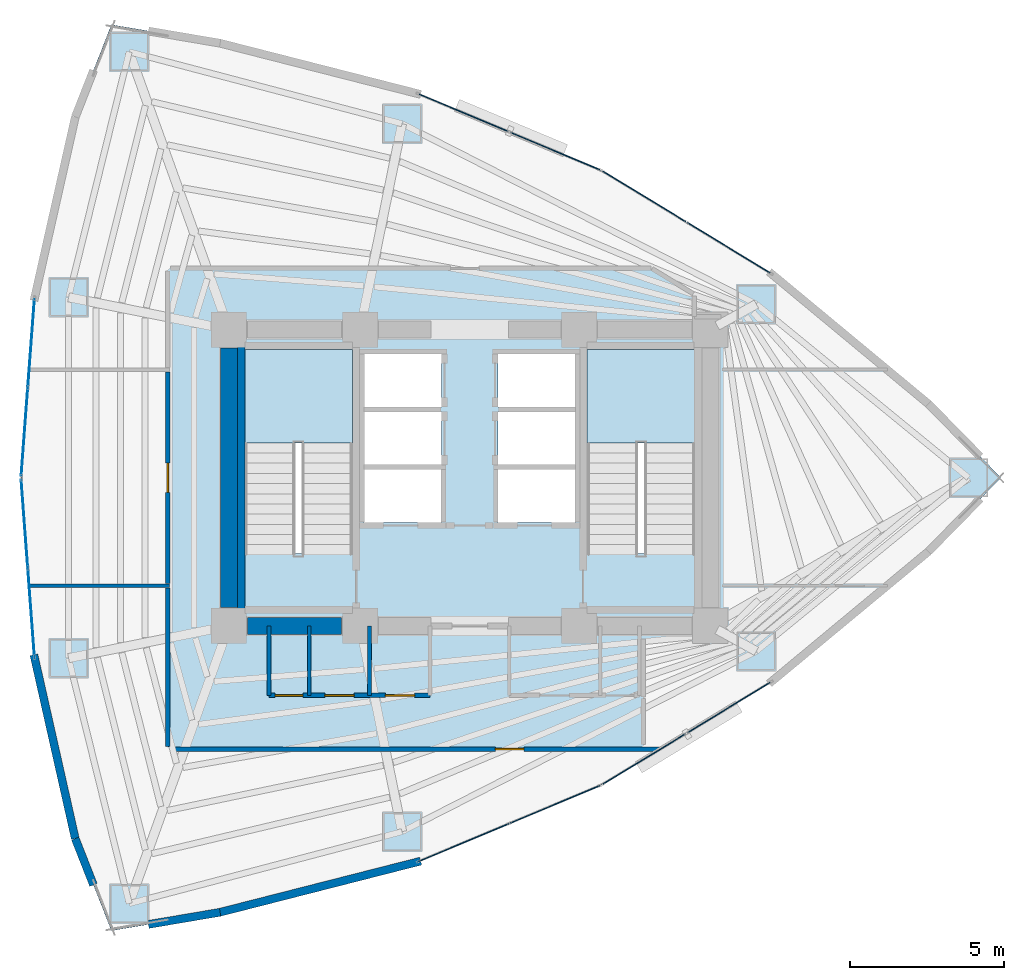
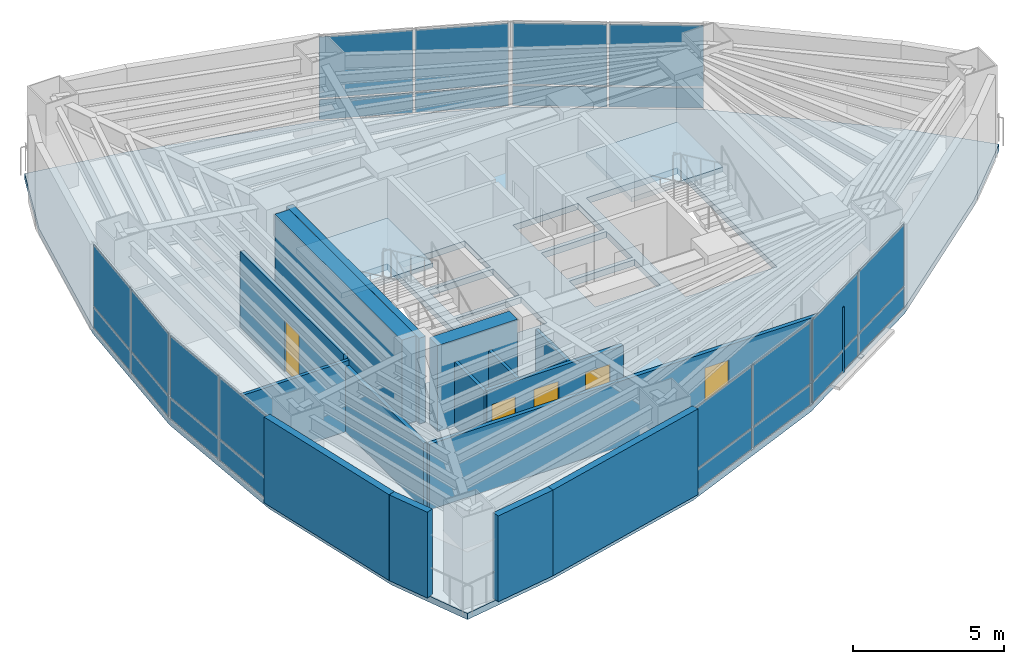
# One storey, part 14 of 18: 24 plates, 15 walls, 5 doors, 3 slabs, 5 openings, 8 elements without a shape of their own.
"""IFC4 building model written with IfcOpenShell, lengths in metres."""

from ifc_helpers import new_model, si_unit, direction, frame, frame_2d, origin, origin_2d, place, context, subcontext, project, spatial, polyline, rectangle, outline, extrude, material, layer, layer_set, type_object, element, fill, aggregate, save


model = new_model("IFC4")

# Units and contexts
model_context = context("Model", 3, precision=1e-05, world=origin(), true_north=direction((0.0, 1.0)))
body_context = subcontext(model_context, "Body", "Model", "MODEL_VIEW")
ifc_project = project(units=[si_unit("LENGTHUNIT", "METRE"), si_unit("AREAUNIT", "SQUARE_METRE"), si_unit("VOLUMEUNIT", "CUBIC_METRE"), si_unit("PLANEANGLEUNIT", "RADIAN"), si_unit("MASSUNIT", "GRAM", prefix="KILO")], contexts=[model_context])

# Site, building, storey
site_placement = place(None, origin())
site = spatial("IfcSite", under=ifc_project, at=site_placement, CompositionType="ELEMENT")
building_placement = place(site_placement, origin())
building = spatial("IfcBuilding", under=site, at=building_placement, Name="Menara Vayukalpa", CompositionType="ELEMENT")
storey_placement = place(building_placement, frame((0.0, 0.0, 92.820068359375)))
storey = spatial("IfcBuildingStorey", under=building, at=storey_placement, Name="L22", CompositionType="ELEMENT", Elevation=92.820068359375)

# Curtain wall, plates
ifc_material_1 = material(Name="Anodised Terracotta Aluminium Alloy 6063-T6", Category="masonry")
ifc_layer_1 = layer(ifc_material_1, 0.14990234375)
ifc_layer_set_1 = layer_set([ifc_layer_1], Name="Anodised Terracotta Aluminium Alloy 6063-T6")
curtain_wall_type = type_object("IfcCurtainWallType", Name="CW-CW3", PredefinedType="USERDEFINED", material=ifc_layer_set_1)
curtain_wall_1_placement = place(storey_placement, origin())
curtain_wall_1 = element("IfcCurtainWall", 1, at=curtain_wall_1_placement, inside=storey, type_object=curtain_wall_type, Name="L22 Mid Rise Terracotta Ribbon Curtain Wall CW3 04", ObjectType="UNITISED", PredefinedType="USERDEFINED")
ifc_material_2 = material(Name="Low-E Double Glazing", Category="glass")
ifc_layer_2 = layer(ifc_material_2, 0.030029296875)
ifc_layer_set_2 = layer_set([ifc_layer_2], Name="Low-E Double Glazing")
plate_type = type_object("IfcPlateType", Name="CWP-CW3", PredefinedType="CURTAIN_PANEL", material=ifc_layer_set_2)
plate_1_placement = place(storey_placement, frame((33.9921875, 29.44873046875, 0.06494140625), z_axis=(0.0, 0.0, 1.0), x_axis=(-0.854663123674, 0.519182959112, 0.0)))
plate_1 = element("IfcPlate", 2, at=plate_1_placement, type_object=plate_type, Name="CW3 panel 1.1", PredefinedType="CURTAIN_PANEL", context=body_context, shape_type="SweptSolid", body=[
    extrude(rectangle(XDim=3.1318359375, YDim=0.030029296875, at=origin_2d()), origin(), (0.0, 0.0, 1.0), 0.802490234375),
])
plate_2_placement = place(storey_placement, frame((33.9921875, 29.44873046875, 0.9326171875), z_axis=(0.0, 0.0, 1.0), x_axis=(-0.854663123674, 0.519182959112, 0.0)))
plate_2 = element("IfcPlate", 3, at=plate_2_placement, type_object=plate_type, Name="CW3 panel 1.2", PredefinedType="CURTAIN_PANEL", context=body_context, shape_type="SweptSolid", body=[
    extrude(rectangle(XDim=3.1318359375, YDim=0.030029296875, at=origin_2d()), origin(), (0.0, 0.0, 1.0), 2.472412109375),
])
plate_3_placement = place(storey_placement, frame((31.259765625, 31.1083984375, 0.06494140625), z_axis=(0.0, 0.0, 1.0), x_axis=(-0.854663123674, 0.519182959112, 0.0)))
plate_3 = element("IfcPlate", 4, at=plate_3_placement, type_object=plate_type, Name="CW3 panel 2.1", PredefinedType="CURTAIN_PANEL", context=body_context, shape_type="SweptSolid", body=[
    extrude(rectangle(XDim=3.1318359375, YDim=0.030029296875, at=origin_2d()), origin(), (0.0, 0.0, 1.0), 0.802490234375),
])
plate_4_placement = place(storey_placement, frame((31.259765625, 31.1083984375, 0.9326171875), z_axis=(0.0, 0.0, 1.0), x_axis=(-0.854663123674, 0.519182959112, 0.0)))
plate_4 = element("IfcPlate", 5, at=plate_4_placement, type_object=plate_type, Name="CW3 panel 2.2", PredefinedType="CURTAIN_PANEL", context=body_context, shape_type="SweptSolid", body=[
    extrude(rectangle(XDim=3.1318359375, YDim=0.030029296875, at=origin_2d()), origin(), (0.0, 0.0, 1.0), 2.472412109375),
])
aggregate(curtain_wall_1, [plate_1, plate_2, plate_3, plate_4])

curtain_wall_2_placement = place(storey_placement, origin())
curtain_wall_2 = element("IfcCurtainWall", 6, at=curtain_wall_2_placement, inside=storey, type_object=curtain_wall_type, Name="L22 Mid Rise Terracotta Ribbon Curtain Wall CW3 05", ObjectType="UNITISED", PredefinedType="USERDEFINED")
plate_5_placement = place(storey_placement, frame((28.361328125, 32.58447265625, 0.06494140625), z_axis=(0.0, 0.0, 1.0), x_axis=(-0.922543300632, 0.38589358437, 0.0)))
plate_5 = element("IfcPlate", 7, at=plate_5_placement, type_object=plate_type, Name="CW3 panel 1.1", PredefinedType="CURTAIN_PANEL", context=body_context, shape_type="SweptSolid", body=[
    extrude(rectangle(XDim=3.1318359375, YDim=0.030029296875, at=origin_2d()), origin(), (0.0, 0.0, 1.0), 0.802490234375),
])
plate_6_placement = place(storey_placement, frame((28.361328125, 32.58447265625, 0.9326171875), z_axis=(0.0, 0.0, 1.0), x_axis=(-0.922543300632, 0.38589358437, 0.0)))
plate_6 = element("IfcPlate", 8, at=plate_6_placement, type_object=plate_type, Name="CW3 panel 1.2", PredefinedType="CURTAIN_PANEL", context=body_context, shape_type="SweptSolid", body=[
    extrude(rectangle(XDim=3.1318359375, YDim=0.030029296875, at=origin_2d()), origin(), (0.0, 0.0, 1.0), 2.472412109375),
])
plate_7_placement = place(storey_placement, frame((25.412109375, 33.818115234375, 0.06494140625), z_axis=(0.0, 0.0, 1.0), x_axis=(-0.922543300632, 0.38589358437, 0.0)))
plate_7 = element("IfcPlate", 9, at=plate_7_placement, type_object=plate_type, Name="CW3 panel 2.1", PredefinedType="CURTAIN_PANEL", context=body_context, shape_type="SweptSolid", body=[
    extrude(rectangle(XDim=3.1318359375, YDim=0.030029296875, at=origin_2d()), origin(), (0.0, 0.0, 1.0), 0.802490234375),
])
plate_8_placement = place(storey_placement, frame((25.412109375, 33.818115234375, 0.9326171875), z_axis=(0.0, 0.0, 1.0), x_axis=(-0.922543300632, 0.38589358437, 0.0)))
plate_8 = element("IfcPlate", 10, at=plate_8_placement, type_object=plate_type, Name="CW3 panel 2.2", PredefinedType="CURTAIN_PANEL", context=body_context, shape_type="SweptSolid", body=[
    extrude(rectangle(XDim=3.1318359375, YDim=0.030029296875, at=origin_2d()), origin(), (0.0, 0.0, 1.0), 2.472412109375),
])
aggregate(curtain_wall_2, [plate_5, plate_6, plate_7, plate_8])

curtain_wall_3_placement = place(storey_placement, origin())
curtain_wall_3 = element("IfcCurtainWall", 11, at=curtain_wall_3_placement, inside=storey, type_object=curtain_wall_type, Name="L22 Mid Rise Terracotta Ribbon Curtain Wall CW3 10", ObjectType="UNITISED", PredefinedType="USERDEFINED")
plate_9_placement = place(storey_placement, frame((11.395751953125, 26.3681640625, 0.06494140625), z_axis=(0.0, 0.0, 1.0), x_axis=(-0.07478528334, -0.997199659745, 0.0)))
plate_9 = element("IfcPlate", 12, at=plate_9_placement, type_object=plate_type, Name="CW3 panel 1.1", PredefinedType="CURTAIN_PANEL", context=body_context, shape_type="SweptSolid", body=[
    extrude(rectangle(XDim=2.83349609375, YDim=0.030029296875, at=origin_2d()), origin(), (0.0, 0.0, 1.0), 0.802490234375),
])
plate_10_placement = place(storey_placement, frame((11.395751953125, 26.3681640625, 0.9326171875), z_axis=(0.0, 0.0, 1.0), x_axis=(-0.07478528334, -0.997199659745, 0.0)))
plate_10 = element("IfcPlate", 13, at=plate_10_placement, type_object=plate_type, Name="CW3 panel 1.2", PredefinedType="CURTAIN_PANEL", context=body_context, shape_type="SweptSolid", body=[
    extrude(rectangle(XDim=2.83349609375, YDim=0.030029296875, at=origin_2d()), origin(), (0.0, 0.0, 1.0), 2.472412109375),
])
plate_11_placement = place(storey_placement, frame((11.178955078125, 23.4775390625, 0.06494140625), z_axis=(0.0, 0.0, 1.0), x_axis=(-0.07478528334, -0.997199659745, 0.0)))
plate_11 = element("IfcPlate", 14, at=plate_11_placement, type_object=plate_type, Name="CW3 panel 2.1", PredefinedType="CURTAIN_PANEL", context=body_context, shape_type="SweptSolid", body=[
    extrude(rectangle(XDim=2.83349609375, YDim=0.030029296875, at=origin_2d()), origin(), (0.0, 0.0, 1.0), 0.802490234375),
])
plate_12_placement = place(storey_placement, frame((11.178955078125, 23.4775390625, 0.9326171875), z_axis=(0.0, 0.0, 1.0), x_axis=(-0.07478528334, -0.997199659745, 0.0)))
plate_12 = element("IfcPlate", 15, at=plate_12_placement, type_object=plate_type, Name="CW3 panel 2.2", PredefinedType="CURTAIN_PANEL", context=body_context, shape_type="SweptSolid", body=[
    extrude(rectangle(XDim=2.83349609375, YDim=0.030029296875, at=origin_2d()), origin(), (0.0, 0.0, 1.0), 2.472412109375),
])
aggregate(curtain_wall_3, [plate_9, plate_10, plate_11, plate_12])

curtain_wall_4_placement = place(storey_placement, origin())
curtain_wall_4 = element("IfcCurtainWall", 16, at=curtain_wall_4_placement, inside=storey, type_object=curtain_wall_type, Name="L22 Mid Rise Terracotta Ribbon Curtain Wall CW3 11", ObjectType="UNITISED", PredefinedType="USERDEFINED")
plate_13_placement = place(storey_placement, frame((11.178955078125, 20.5224609375, 0.06494140625), z_axis=(0.0, 0.0, 1.0), x_axis=(0.07478528334, -0.997199659745, 0.0)))
plate_13 = element("IfcPlate", 17, at=plate_13_placement, type_object=plate_type, Name="CW3 panel 1.1", PredefinedType="CURTAIN_PANEL", context=body_context, shape_type="SweptSolid", body=[
    extrude(rectangle(XDim=2.83349609375, YDim=0.030029296875, at=origin_2d()), origin(), (0.0, 0.0, 1.0), 0.802490234375),
])
plate_14_placement = place(storey_placement, frame((11.178955078125, 20.5224609375, 0.9326171875), z_axis=(0.0, 0.0, 1.0), x_axis=(0.07478528334, -0.997199659745, 0.0)))
plate_14 = element("IfcPlate", 18, at=plate_14_placement, type_object=plate_type, Name="CW3 panel 1.2", PredefinedType="CURTAIN_PANEL", context=body_context, shape_type="SweptSolid", body=[
    extrude(rectangle(XDim=2.83349609375, YDim=0.030029296875, at=origin_2d()), origin(), (0.0, 0.0, 1.0), 2.472412109375),
])
plate_15_placement = place(storey_placement, frame((11.395751953125, 17.6318359375, 0.06494140625), z_axis=(0.0, 0.0, 1.0), x_axis=(0.07478528334, -0.997199659745, 0.0)))
plate_15 = element("IfcPlate", 19, at=plate_15_placement, type_object=plate_type, Name="CW3 panel 2.1", PredefinedType="CURTAIN_PANEL", context=body_context, shape_type="SweptSolid", body=[
    extrude(rectangle(XDim=2.83349609375, YDim=0.030029296875, at=origin_2d()), origin(), (0.0, 0.0, 1.0), 0.802490234375),
])
plate_16_placement = place(storey_placement, frame((11.395751953125, 17.6318359375, 0.9326171875), z_axis=(0.0, 0.0, 1.0), x_axis=(0.07478528334, -0.997199659745, 0.0)))
plate_16 = element("IfcPlate", 20, at=plate_16_placement, type_object=plate_type, Name="CW3 panel 2.2", PredefinedType="CURTAIN_PANEL", context=body_context, shape_type="SweptSolid", body=[
    extrude(rectangle(XDim=2.83349609375, YDim=0.030029296875, at=origin_2d()), origin(), (0.0, 0.0, 1.0), 2.472412109375),
])
aggregate(curtain_wall_4, [plate_13, plate_14, plate_15, plate_16])

curtain_wall_5_placement = place(storey_placement, origin())
curtain_wall_5 = element("IfcCurtainWall", 21, at=curtain_wall_5_placement, inside=storey, type_object=curtain_wall_type, Name="L22 Mid Rise Terracotta Ribbon Curtain Wall CW3 16", ObjectType="UNITISED", PredefinedType="USERDEFINED")
plate_17_placement = place(storey_placement, frame((25.412109375, 10.181884765625, 0.06494140625), z_axis=(0.0, 0.0, 1.0), x_axis=(0.922543300632, 0.38589358437, 0.0)))
plate_17 = element("IfcPlate", 22, at=plate_17_placement, type_object=plate_type, Name="CW3 panel 1.1", PredefinedType="CURTAIN_PANEL", context=body_context, shape_type="SweptSolid", body=[
    extrude(rectangle(XDim=3.1318359375, YDim=0.030029296875, at=origin_2d()), origin(), (0.0, 0.0, 1.0), 0.802490234375),
])
plate_18_placement = place(storey_placement, frame((25.412109375, 10.181884765625, 0.9326171875), z_axis=(0.0, 0.0, 1.0), x_axis=(0.922543300632, 0.38589358437, 0.0)))
plate_18 = element("IfcPlate", 23, at=plate_18_placement, type_object=plate_type, Name="CW3 panel 1.2", PredefinedType="CURTAIN_PANEL", context=body_context, shape_type="SweptSolid", body=[
    extrude(rectangle(XDim=3.1318359375, YDim=0.030029296875, at=origin_2d()), origin(), (0.0, 0.0, 1.0), 2.472412109375),
])
plate_19_placement = place(storey_placement, frame((28.361328125, 11.41552734375, 0.06494140625), z_axis=(0.0, 0.0, 1.0), x_axis=(0.922543300632, 0.38589358437, 0.0)))
plate_19 = element("IfcPlate", 24, at=plate_19_placement, type_object=plate_type, Name="CW3 panel 2.1", PredefinedType="CURTAIN_PANEL", context=body_context, shape_type="SweptSolid", body=[
    extrude(rectangle(XDim=3.1318359375, YDim=0.030029296875, at=origin_2d()), origin(), (0.0, 0.0, 1.0), 0.802490234375),
])
plate_20_placement = place(storey_placement, frame((28.361328125, 11.41552734375, 0.9326171875), z_axis=(0.0, 0.0, 1.0), x_axis=(0.922543300632, 0.38589358437, 0.0)))
plate_20 = element("IfcPlate", 25, at=plate_20_placement, type_object=plate_type, Name="CW3 panel 2.2", PredefinedType="CURTAIN_PANEL", context=body_context, shape_type="SweptSolid", body=[
    extrude(rectangle(XDim=3.1318359375, YDim=0.030029296875, at=origin_2d()), origin(), (0.0, 0.0, 1.0), 2.472412109375),
])
aggregate(curtain_wall_5, [plate_17, plate_18, plate_19, plate_20])

curtain_wall_6_placement = place(storey_placement, origin())
curtain_wall_6 = element("IfcCurtainWall", 26, at=curtain_wall_6_placement, inside=storey, type_object=curtain_wall_type, Name="L22 Mid Rise Terracotta Ribbon Curtain Wall CW3 17", ObjectType="UNITISED", PredefinedType="USERDEFINED")
plate_21_placement = place(storey_placement, frame((31.259765625, 12.8916015625, 0.06494140625), z_axis=(0.0, 0.0, 1.0), x_axis=(0.854663123674, 0.519182959112, 0.0)))
plate_21 = element("IfcPlate", 27, at=plate_21_placement, type_object=plate_type, Name="CW3 panel 1.1", PredefinedType="CURTAIN_PANEL", context=body_context, shape_type="SweptSolid", body=[
    extrude(rectangle(XDim=3.1318359375, YDim=0.030029296875, at=origin_2d()), origin(), (0.0, 0.0, 1.0), 0.802490234375),
])
plate_22_placement = place(storey_placement, frame((31.259765625, 12.8916015625, 0.9326171875), z_axis=(0.0, 0.0, 1.0), x_axis=(0.854663123674, 0.519182959112, 0.0)))
plate_22 = element("IfcPlate", 28, at=plate_22_placement, type_object=plate_type, Name="CW3 panel 1.2", PredefinedType="CURTAIN_PANEL", context=body_context, shape_type="SweptSolid", body=[
    extrude(rectangle(XDim=3.1318359375, YDim=0.030029296875, at=origin_2d()), origin(), (0.0, 0.0, 1.0), 2.472412109375),
])
plate_23_placement = place(storey_placement, frame((33.9921875, 14.55126953125, 0.06494140625), z_axis=(0.0, 0.0, 1.0), x_axis=(0.854663123674, 0.519182959112, 0.0)))
plate_23 = element("IfcPlate", 29, at=plate_23_placement, type_object=plate_type, Name="CW3 panel 2.1", PredefinedType="CURTAIN_PANEL", context=body_context, shape_type="SweptSolid", body=[
    extrude(rectangle(XDim=3.1318359375, YDim=0.030029296875, at=origin_2d()), origin(), (0.0, 0.0, 1.0), 0.802490234375),
])
plate_24_placement = place(storey_placement, frame((33.9921875, 14.55126953125, 0.9326171875), z_axis=(0.0, 0.0, 1.0), x_axis=(0.854663123674, 0.519182959112, 0.0)))
plate_24 = element("IfcPlate", 30, at=plate_24_placement, type_object=plate_type, Name="CW3 panel 2.2", PredefinedType="CURTAIN_PANEL", context=body_context, shape_type="SweptSolid", body=[
    extrude(rectangle(XDim=3.1318359375, YDim=0.030029296875, at=origin_2d()), origin(), (0.0, 0.0, 1.0), 2.472412109375),
])
aggregate(curtain_wall_6, [plate_21, plate_22, plate_23, plate_24])

# Slab
ifc_material_3 = material(Name="Concrete C40/50", Category="concrete")
ifc_layer_3 = layer(ifc_material_3, 0.25)
ifc_layer_set_3 = layer_set([ifc_layer_3], Name="Concrete C40/50")
slab_type_1 = type_object("IfcSlabType", Name="SLB-FL250", PredefinedType="FLOOR", material=ifc_layer_set_3)
slab_1_placement = place(storey_placement, frame((0.0, 0.0, -0.25)))
element("IfcSlab", 31, at=slab_1_placement, inside=storey, type_object=slab_type_1, Name="L22 Structural Floor Slab", PredefinedType="FLOOR", context=body_context, shape_type="SweptSolid", body=[
    extrude(outline(polyline([(40.4677734375, 19.6123046875), (42.81201171875, 22.0), (40.4677734375, 24.3876953125), (35.385986328125, 28.601806640625), (29.865966796875, 31.955078125), (23.907470703125, 34.447509765625), (17.510498046875, 36.0791015625), (13.993896484375, 36.676025390625), (12.822021484375, 33.69140625), (11.506591796875, 27.845703125), (11.068115234375, 22.0), (11.506591796875, 16.154296875), (12.822021484375, 10.30859375), (13.993896484375, 7.323974609375), (17.510498046875, 7.9208984375), (23.907470703125, 9.552490234375), (29.865966796875, 12.044921875), (35.385986328125, 15.398193359375), (40.4677734375, 19.6123046875)]), holes=[polyline([(21.800048828125, 19.550048828125), (21.800048828125, 26.14990234375), (18.300048828125, 26.14990234375), (18.300048828125, 19.550048828125), (21.800048828125, 19.550048828125)]), polyline([(32.89990234375, 19.550048828125), (32.89990234375, 26.14990234375), (29.39990234375, 26.14990234375), (29.39990234375, 19.550048828125), (32.89990234375, 19.550048828125)]), polyline([(22.179931640625, 20.550048828125), (24.679931640625, 20.550048828125), (24.679931640625, 22.27001953125), (22.179931640625, 22.27001953125), (22.179931640625, 20.550048828125)]), polyline([(26.52001953125, 20.550048828125), (29.02001953125, 20.550048828125), (29.02001953125, 22.27001953125), (26.52001953125, 22.27001953125), (26.52001953125, 20.550048828125)]), polyline([(22.179931640625, 22.419921875), (24.679931640625, 22.419921875), (24.679931640625, 24.139892578125), (22.179931640625, 24.139892578125), (22.179931640625, 22.419921875)]), polyline([(22.179931640625, 24.2900390625), (24.679931640625, 24.2900390625), (24.679931640625, 26.010009765625), (22.179931640625, 26.010009765625), (22.179931640625, 24.2900390625)]), polyline([(26.52001953125, 24.2900390625), (29.02001953125, 24.2900390625), (29.02001953125, 26.010009765625), (26.52001953125, 26.010009765625), (26.52001953125, 24.2900390625)]), polyline([(26.52001953125, 22.419921875), (29.02001953125, 22.419921875), (29.02001953125, 24.139892578125), (26.52001953125, 24.139892578125), (26.52001953125, 22.419921875)])]), origin(), (0.0, 0.0, 1.0), 0.25),
])

# Stair, slab
ifc_material_4 = material(Name="Precast Concrete C40/50", Category="concrete")
stair_type = type_object("IfcStairType", Name="STR-T04", PredefinedType="DOUBLE_RETURN_STAIR", material=ifc_material_4)
stair_1_placement = place(storey_placement, origin())
stair_1 = element("IfcStair", 32, at=stair_1_placement, inside=storey, type_object=stair_type, Name="L22 Core Exit Stair ST-1", PredefinedType="DOUBLE_RETURN_STAIR")
ifc_material_5 = material(Name="Precast Concrete C40/50", Category="concrete")
ifc_layer_4 = layer(ifc_material_5, 0.199951171875)
ifc_layer_set_4 = layer_set([ifc_layer_4], Name="Precast Concrete C40/50")
slab_type_2 = type_object("IfcSlabType", Name="SLB-LND200", PredefinedType="LANDING", material=ifc_layer_set_4)
slab_2_placement = place(storey_placement, frame((0.0, 0.0, 1.659912109375)))
slab_2 = element("IfcSlab", 33, at=slab_2_placement, type_object=slab_type_2, Name="ST-1 landing 1", PredefinedType="LANDING", context=body_context, shape_type="SweptSolid", body=[
    extrude(outline(polyline([(21.800048828125, 23.1298828125), (21.800048828125, 26.14990234375), (18.300048828125, 26.14990234375), (18.300048828125, 23.1298828125), (21.800048828125, 23.1298828125)])), origin(), (0.0, 0.0, 1.0), 0.199951171875),
])
aggregate(stair_1, [slab_2])

stair_2_placement = place(storey_placement, origin())
stair_2 = element("IfcStair", 34, at=stair_2_placement, inside=storey, type_object=stair_type, Name="L22 Core Exit Stair ST-2", PredefinedType="DOUBLE_RETURN_STAIR")
slab_3_placement = place(storey_placement, frame((0.0, 0.0, 1.659912109375)))
slab_3 = element("IfcSlab", 35, at=slab_3_placement, type_object=slab_type_2, Name="ST-2 landing 1", PredefinedType="LANDING", context=body_context, shape_type="SweptSolid", body=[
    extrude(outline(polyline([(32.89990234375, 23.1298828125), (32.89990234375, 26.14990234375), (29.39990234375, 26.14990234375), (29.39990234375, 23.1298828125), (32.89990234375, 23.1298828125)])), origin(), (0.0, 0.0, 1.0), 0.199951171875),
])
aggregate(stair_2, [slab_3])

# Walls
ifc_material_6 = material(Name="Concrete C60/75", Category="concrete")
ifc_layer_5 = layer(ifc_material_6, 0.550048828125)
ifc_layer_set_5 = layer_set([ifc_layer_5], Name="Concrete C60/75")
wall_type_1 = type_object("IfcWallType", Name="WAL-CW550", PredefinedType="SHEAR", material=ifc_layer_set_5)
wall_1_placement = place(storey_placement, frame((18.39501953125, 17.199951171875, 0.0), z_axis=(0.0, 0.0, 1.0), x_axis=(1.0, 0.0, 0.0)))
element("IfcWall", 36, at=wall_1_placement, inside=storey, type_object=wall_type_1, Name="L22 Buttressed Core Shear Wall CWS1", PredefinedType="SHEAR", context=body_context, shape_type="SweptSolid", body=[
    extrude(rectangle(XDim=3.06005859375, YDim=0.550048828125, at=frame_2d((1.530029296875, 0.0))), origin(), (0.0, 0.0, 1.0), 3.469970703125),
])
wall_2_placement = place(storey_placement, frame((17.800048828125, 17.794921875, 0.0), z_axis=(0.0, 0.0, 1.0), x_axis=(0.0, 1.0, 0.0)))
element("IfcWall", 37, at=wall_2_placement, inside=storey, type_object=wall_type_1, Name="L22 Buttressed Core Shear Wall CWW1", PredefinedType="SHEAR", context=body_context, shape_type="SweptSolid", body=[
    extrude(rectangle(XDim=8.41015625, YDim=0.550048828125, at=frame_2d((4.205078125, 0.0))), origin(), (0.0, 0.0, 1.0), 3.469970703125),
])
ifc_material_7 = material(Name="Insulated Precast Concrete C40/50", Category="concrete")
ifc_layer_6 = layer(ifc_material_7, 0.260009765625)
ifc_layer_set_6 = layer_set([ifc_layer_6], Name="Insulated Precast Concrete C40/50")
wall_type_2 = type_object("IfcWallType", Name="WAL-EXT260", PredefinedType="PARTITIONING", material=ifc_layer_set_6)
wall_3_placement = place(storey_placement, frame((12.822021484375, 10.30859375, 0.0), z_axis=(0.0, 0.0, 1.0), x_axis=(-0.219535044336, 0.975604614743, 0.0)))
element("IfcWall", 38, at=wall_3_placement, inside=storey, type_object=wall_type_2, Name="L22 Perimeter Terracotta Pier Wall 12", PredefinedType="PARTITIONING", context=body_context, shape_type="SweptSolid", body=[
    extrude(rectangle(XDim=6.10205078125, YDim=0.260009765625, at=frame_2d((3.051025390625, 0.0))), origin(), (0.0, 0.0, 1.0), 3.469970703125),
])
wall_4_placement = place(storey_placement, frame((13.411865234375, 8.806396484375, 0.0), z_axis=(0.0, 0.0, 1.0), x_axis=(-0.365488551504, 0.930815835018, 0.0)))
element("IfcWall", 39, at=wall_4_placement, inside=storey, type_object=wall_type_2, Name="L22 Perimeter Terracotta Pier Wall 13", PredefinedType="PARTITIONING", context=body_context, shape_type="SweptSolid", body=[
    extrude(rectangle(XDim=1.61376953125, YDim=0.260009765625, at=frame_2d((0.806884765625, 0.0))), origin(), (0.0, 0.0, 1.0), 3.469970703125),
])
wall_5_placement = place(storey_placement, frame((17.516357421875, 7.921875, 0.0), z_axis=(0.0, 0.0, 1.0), x_axis=(-0.985905269947, -0.167304508875, 0.0)))
element("IfcWall", 40, at=wall_5_placement, inside=storey, type_object=wall_type_2, Name="L22 Perimeter Terracotta Pier Wall 14", PredefinedType="PARTITIONING", context=body_context, shape_type="SweptSolid", body=[
    extrude(rectangle(XDim=2.356689453125, YDim=0.260009765625, at=frame_2d((1.17822265625, 0.0))), origin(), (0.0, 0.0, 1.0), 3.469970703125),
])
wall_6_placement = place(storey_placement, frame((24.013916015625, 9.57958984375, 0.0), z_axis=(0.0, 0.0, 1.0), x_axis=(-0.968981437296, -0.247133514876, 0.0)))
element("IfcWall", 41, at=wall_6_placement, inside=storey, type_object=wall_type_2, Name="L22 Perimeter Terracotta Pier Wall 15", PredefinedType="PARTITIONING", context=body_context, shape_type="SweptSolid", body=[
    extrude(rectangle(XDim=6.717529296875, YDim=0.260009765625, at=frame_2d((3.35888671875, 0.0))), origin(), (0.0, 0.0, 1.0), 3.469970703125),
])
ifc_material_8 = material(Name="Acoustic Mineral Stud Partition", Category="masonry")
ifc_layer_7 = layer(ifc_material_8, 0.110107421875)
ifc_layer_set_7 = layer_set([ifc_layer_7], Name="Acoustic Mineral Stud Partition")
wall_type_3 = type_object("IfcWallType", Name="WAL-PT110", PredefinedType="PARTITIONING", material=ifc_layer_set_7)
wall_7_placement = place(storey_placement, frame((20.39990234375, 14.949951171875, 0.0), z_axis=(0.0, 0.0, 1.0), x_axis=(0.0, 1.0, 0.0)))
element("IfcWall", 42, at=wall_7_placement, inside=storey, type_object=wall_type_3, Name="L22 Interior Partition IW-L22-SVCD-02", PredefinedType="PARTITIONING", context=body_context, shape_type="SweptSolid", body=[
    extrude(rectangle(XDim=2.25, YDim=0.110107421875, at=frame_2d((1.125, 0.0))), origin(), (0.0, 0.0, 1.0), 2.599853515625),
])
ifc_material_9 = material(Name="Gypsum Drywall Steel Stud Assembly", Category="steel")
ifc_layer_8 = layer(ifc_material_9, 0.125)
ifc_layer_set_8 = layer_set([ifc_layer_8], Name="Gypsum Drywall Steel Stud Assembly")
wall_type_4 = type_object("IfcWallType", Name="WAL-PT125", PredefinedType="PARTITIONING", material=ifc_layer_set_8)
for number, where, z_axis, x_axis, name in (
    (43, (19.10009765625, 14.949951171875, 0.0), (0.0, 0.0, 1.0), (0.0, 1.0, 0.0), "L22 Interior Partition IW-L22-SVCD-01"),
    (44, (22.360107421875, 14.949951171875, 0.0), (0.0, 0.0, 1.0), (0.0, 1.0, 0.0), "L22 Interior Partition IW-L22-SVCD-03"),
):
    element("IfcWall", number, at=place(storey_placement, frame(where, z_axis=z_axis, x_axis=x_axis)), inside=storey, type_object=wall_type_4, Name=name, PredefinedType="PARTITIONING", context=body_context, shape_type="SweptSolid", body=[
        extrude(rectangle(XDim=2.25, YDim=0.125, at=frame_2d((1.125, 0.0))), origin(), (0.0, 0.0, 1.0), 2.599853515625),
    ])
wall_8_placement = place(storey_placement, frame((11.32080078125, 18.5, 0.0), z_axis=(0.0, 0.0, 1.0), x_axis=(1.0, 0.0, 0.0)))
element("IfcWall", 45, at=wall_8_placement, inside=storey, type_object=wall_type_4, Name="L22 Interior Partition IW-L22-RDIV01", PredefinedType="PARTITIONING", context=body_context, shape_type="SweptSolid", body=[
    extrude(rectangle(XDim=4.54931640625, YDim=0.125, at=frame_2d((2.274658203125, 0.0))), origin(), (0.0, 0.0, 1.0), 2.849853515625),
])

# Wall, openings, doors
ifc_material_10 = material(Name="Gypsum Drywall Acoustic Stud Assembly", Category="masonry")
ifc_layer_9 = layer(ifc_material_10, 0.14501953125)
ifc_layer_set_9 = layer_set([ifc_layer_9], Name="Gypsum Drywall Acoustic Stud Assembly")
wall_type_5 = type_object("IfcWallType", Name="WAL-PT150", PredefinedType="PARTITIONING", material=ifc_layer_set_9)
wall_9_placement = place(storey_placement, frame((19.10009765625, 14.949951171875, 0.0), z_axis=(0.0, 0.0, 1.0), x_axis=(1.0, 0.0, 0.0)))
wall_9 = element("IfcWall", 46, at=wall_9_placement, inside=storey, type_object=wall_type_5, Name="L22 Interior Partition IW-L22-SVCS-W", PredefinedType="PARTITIONING", context=body_context, shape_type="SweptSolid", body=[
    extrude(rectangle(XDim=5.219970703125, YDim=0.14501953125, at=frame_2d((2.60986328125, 0.0))), origin(), (0.0, 0.0, 1.0), 2.64990234375),
])
opening_1_placement = place(wall_9_placement, frame((0.199951171875, 0.0, 0.0)))
opening_1 = element("IfcOpeningElement", 47, at=opening_1_placement, cuts=wall_9, Name="Opening ID7", PredefinedType="OPENING", context=body_context, shape_type="SweptSolid", body=[
    extrude(rectangle(XDim=0.89990234375, YDim=2.02001953125, at=frame_2d((0.449951171875, 1.010009765625))), frame((0.0, 0.08251953125, 0.0), z_axis=(0.0, -1.0, 0.0), x_axis=(1.0, 0.0, 0.0)), (0.0, 0.0, 1.0), 0.1650390625),
])
opening_2_placement = place(wall_9_placement, frame((1.804931640625, 0.0, 0.0)))
opening_2 = element("IfcOpeningElement", 48, at=opening_2_placement, cuts=wall_9, Name="Opening ID5", PredefinedType="OPENING", context=body_context, shape_type="SweptSolid", body=[
    extrude(rectangle(XDim=0.949951171875, YDim=2.06005859375, at=frame_2d((0.47509765625, 1.030029296875))), frame((0.0, 0.08251953125, 0.0), z_axis=(0.0, -1.0, 0.0), x_axis=(1.0, 0.0, 0.0)), (0.0, 0.0, 1.0), 0.1650390625),
])
opening_3_placement = place(wall_9_placement, frame((3.764892578125, 0.0, 0.0)))
opening_3 = element("IfcOpeningElement", 49, at=opening_3_placement, cuts=wall_9, Name="Opening ID5", PredefinedType="OPENING", context=body_context, shape_type="SweptSolid", body=[
    extrude(rectangle(XDim=0.949951171875, YDim=2.06005859375, at=frame_2d((0.47509765625, 1.030029296875))), frame((0.0, 0.08251953125, 0.0), z_axis=(0.0, -1.0, 0.0), x_axis=(1.0, 0.0, 0.0)), (0.0, 0.0, 1.0), 0.1650390625),
])
ifc_material_11 = material(Name="Acoustic Hardwood Veneer Timber Door", Category="wood")
door_type_1 = type_object("IfcDoorType", Name="DR-INT95", OperationType="NOTDEFINED", PredefinedType="DOOR", material=ifc_material_11)
door_1_placement = place(opening_2_placement, origin())
door_1 = element("IfcDoor", 50, at=door_1_placement, inside=storey, type_object=door_type_1, Name="L22 Interior Door DR-L22-AWC", OperationType="SINGLE_SWING_LEFT", OverallHeight=2.06005859375, OverallWidth=0.949951171875, PredefinedType="DOOR", context=body_context, shape_type="SweptSolid", body=[
    extrude(rectangle(XDim=0.949951171875, YDim=2.06005859375, at=frame_2d((0.47509765625, 1.030029296875))), frame((0.0, 0.02490234375, 0.0), z_axis=(0.0, -1.0, 0.0), x_axis=(1.0, 0.0, 0.0)), (0.0, 0.0, 1.0), 0.050048828125),
])
fill(opening_2, door_1)
door_2_placement = place(opening_3_placement, origin())
door_2 = element("IfcDoor", 51, at=door_2_placement, inside=storey, type_object=door_type_1, Name="L22 Interior Door DR-L22-SWC", OperationType="SINGLE_SWING_RIGHT", OverallHeight=2.06005859375, OverallWidth=0.949951171875, PredefinedType="DOOR", context=body_context, shape_type="SweptSolid", body=[
    extrude(rectangle(XDim=0.949951171875, YDim=2.06005859375, at=frame_2d((0.47509765625, 1.030029296875))), frame((0.0, 0.02490234375, 0.0), z_axis=(0.0, -1.0, 0.0), x_axis=(1.0, 0.0, 0.0)), (0.0, 0.0, 1.0), 0.050048828125),
])
fill(opening_3, door_2)
ifc_material_12 = material(Name="Powder-Coated Steel Riser Access Door", Category="steel")
door_type_2 = type_object("IfcDoorType", Name="DR-RISER", OperationType="NOTDEFINED", PredefinedType="DOOR", material=ifc_material_12)
door_3_placement = place(opening_1_placement, origin())
door_3 = element("IfcDoor", 52, at=door_3_placement, inside=storey, type_object=door_type_2, Name="L22 Interior Door DR-L22-ELR", OperationType="SINGLE_SWING_RIGHT", OverallHeight=2.02001953125, OverallWidth=0.89990234375, PredefinedType="DOOR", context=body_context, shape_type="SweptSolid", body=[
    extrude(rectangle(XDim=0.89990234375, YDim=2.02001953125, at=frame_2d((0.449951171875, 1.010009765625))), frame((0.0, 0.02490234375, 0.0), z_axis=(0.0, -1.0, 0.0), x_axis=(1.0, 0.0, 0.0)), (0.0, 0.0, 1.0), 0.050048828125),
])
fill(opening_1, door_3)

# Wall
wall_10_placement = place(storey_placement, frame((15.820068359375, 18.429931640625, 0.0), z_axis=(0.0, 0.0, 1.0), x_axis=(0.0, -1.0, 0.0)))
element("IfcWall", 53, at=wall_10_placement, inside=storey, type_object=wall_type_5, Name="L22 Interior Partition IW-L22-CRM02-1", PredefinedType="PARTITIONING", context=body_context, shape_type="SweptSolid", body=[
    extrude(rectangle(XDim=5.139892578125, YDim=0.14501953125, at=frame_2d((2.56982421875, 0.0))), origin(), (0.0, 0.0, 1.0), 2.64990234375),
])

# Wall, opening, door
wall_11_placement = place(storey_placement, frame((15.89990234375, 13.2099609375, 0.0), z_axis=(0.0, 0.0, 1.0), x_axis=(1.0, 0.0, 0.0)))
wall_11 = element("IfcWall", 54, at=wall_11_placement, inside=storey, type_object=wall_type_5, Name="L22 Interior Partition IW-L22-CRM02-2", PredefinedType="PARTITIONING", context=body_context, shape_type="SweptSolid", body=[
    extrude(rectangle(XDim=15.884033203125, YDim=0.14501953125, at=frame_2d((7.94189453125, 0.0))), origin(), (0.0, 0.0, 1.0), 2.64990234375),
])
opening_4_placement = place(wall_11_placement, frame((10.53173828125, 0.0, 0.0)))
opening_4 = element("IfcOpeningElement", 55, at=opening_4_placement, cuts=wall_11, Name="Opening ID6", PredefinedType="OPENING", context=body_context, shape_type="SweptSolid", body=[
    extrude(rectangle(XDim=0.919921875, YDim=2.050048828125, at=frame_2d((0.4599609375, 1.02490234375))), frame((0.0, 0.08251953125, 0.0), z_axis=(0.0, -1.0, 0.0), x_axis=(1.0, 0.0, 0.0)), (0.0, 0.0, 1.0), 0.1650390625),
])
ifc_material_13 = material(Name="Acoustic Hardwood Veneer Timber Door", Category="wood")
door_type_3 = type_object("IfcDoorType", Name="DR-INT92", OperationType="NOTDEFINED", PredefinedType="DOOR", material=ifc_material_13)
door_4_placement = place(opening_4_placement, origin())
door_4 = element("IfcDoor", 56, at=door_4_placement, inside=storey, type_object=door_type_3, Name="L22 Interior Door DR-L22-RM02", OperationType="SINGLE_SWING_LEFT", OverallHeight=2.050048828125, OverallWidth=0.919921875, PredefinedType="DOOR", context=body_context, shape_type="SweptSolid", body=[
    extrude(rectangle(XDim=0.919921875, YDim=2.050048828125, at=frame_2d((0.4599609375, 1.02490234375))), frame((0.0, 0.02490234375, 0.0), z_axis=(0.0, -1.0, 0.0), x_axis=(1.0, 0.0, 0.0)), (0.0, 0.0, 1.0), 0.050048828125),
])
fill(opening_4, door_4)

wall_12_placement = place(storey_placement, frame((15.820068359375, 25.429931640625, 0.0), z_axis=(0.0, 0.0, 1.0), x_axis=(0.0, -1.0, 0.0)))
wall_12 = element("IfcWall", 57, at=wall_12_placement, inside=storey, type_object=wall_type_5, Name="L22 Interior Partition IW-L22-CRM05-1", PredefinedType="PARTITIONING", context=body_context, shape_type="SweptSolid", body=[
    extrude(rectangle(XDim=6.85986328125, YDim=0.14501953125, at=frame_2d((3.429931640625, 0.0))), origin(), (0.0, 0.0, 1.0), 3.050048828125),
])
opening_5_placement = place(wall_12_placement, frame((2.955078125, 0.0, 0.0)))
opening_5 = element("IfcOpeningElement", 58, at=opening_5_placement, cuts=wall_12, Name="Opening ID5", PredefinedType="OPENING", context=body_context, shape_type="SweptSolid", body=[
    extrude(rectangle(XDim=0.949951171875, YDim=2.06005859375, at=frame_2d((0.47509765625, 1.030029296875))), frame((0.0, 0.08251953125, 0.0), z_axis=(0.0, -1.0, 0.0), x_axis=(1.0, 0.0, 0.0)), (0.0, 0.0, 1.0), 0.1650390625),
])
door_5_placement = place(opening_5_placement, origin())
door_5 = element("IfcDoor", 59, at=door_5_placement, inside=storey, type_object=door_type_1, Name="L22 Interior Door DR-L22-RM05", OperationType="SINGLE_SWING_LEFT", OverallHeight=2.06005859375, OverallWidth=0.949951171875, PredefinedType="DOOR", context=body_context, shape_type="SweptSolid", body=[
    extrude(rectangle(XDim=0.949951171875, YDim=2.06005859375, at=frame_2d((0.47509765625, 1.030029296875))), frame((0.0, 0.02490234375, 0.0), z_axis=(0.0, -1.0, 0.0), x_axis=(1.0, 0.0, 0.0)), (0.0, 0.0, 1.0), 0.050048828125),
])
fill(opening_5, door_5)

# Wall
ifc_material_14 = material(Name="Concrete C50/60", Category="concrete")
ifc_layer_10 = layer(ifc_material_14, 0.25)
ifc_layer_set_10 = layer_set([ifc_layer_10], Name="Concrete C50/60")
wall_type_6 = type_object("IfcWallType", Name="WAL-SW250", PredefinedType="SHEAR", material=ifc_layer_set_10)
wall_13_placement = place(storey_placement, frame((18.2041015625, 17.60009765625, 0.0), z_axis=(0.0, 0.0, 1.0), x_axis=(0.0, 1.0, 0.0)))
element("IfcWall", 60, at=wall_13_placement, inside=storey, type_object=wall_type_6, Name="L22 ST1 Structural Stair Shaft Wall W", PredefinedType="SHEAR", context=body_context, shape_type="SweptSolid", body=[
    extrude(rectangle(XDim=8.7998046875, YDim=0.25, at=frame_2d((4.39990234375, 0.0))), origin(), (0.0, 0.0, 1.0), 3.469970703125),
])

save(model, "model.ifc")
